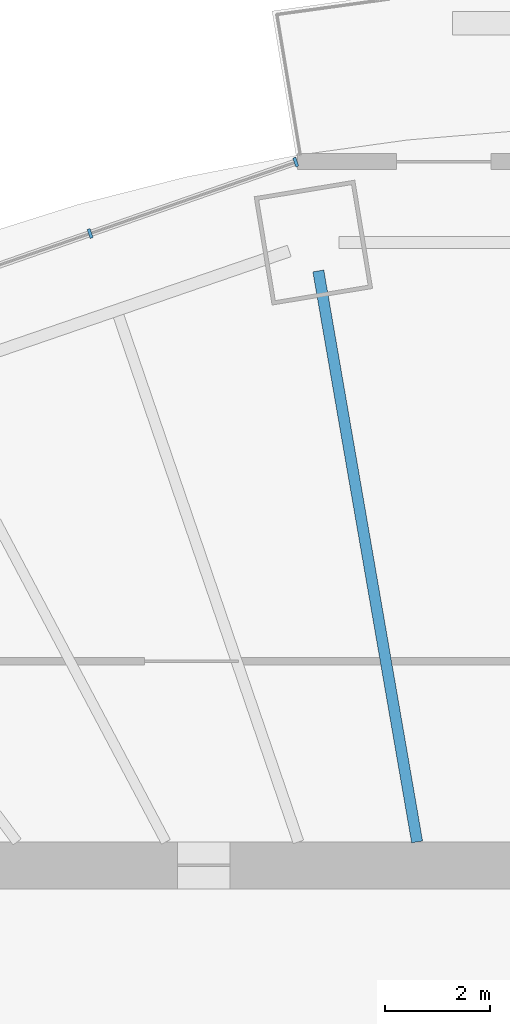
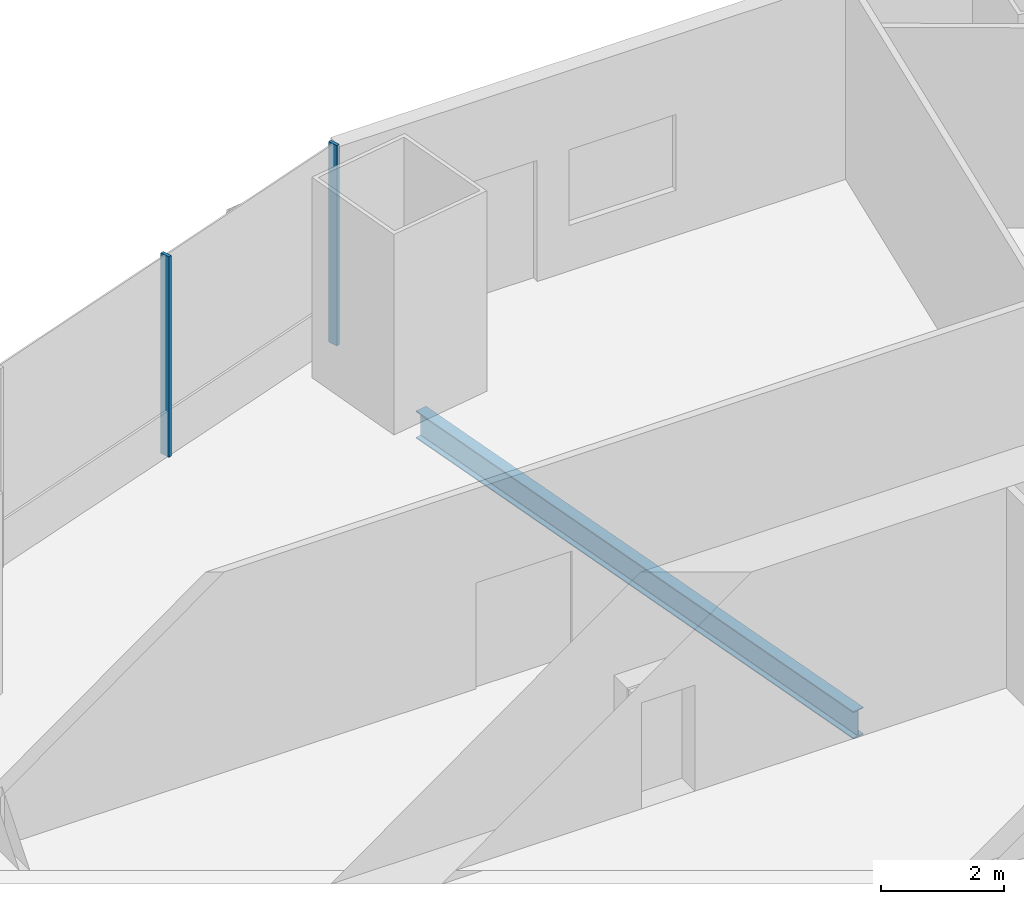
# One storey, part 7 of 21: 2 members, 1 beam, 1 element without a shape of its own.
"""IFC4 building model written with IfcOpenShell, lengths in metres."""

from ifc_helpers import new_model, si_unit, direction, frame, origin, origin_2d, place, context, subcontext, project, spatial, rectangle, i_section, extrude, material, material_profile, profile_set, type_object, element, aggregate, save


model = new_model("IFC4")

# Units and contexts
model_context = context("Model", 3, precision=1e-05, world=origin(), true_north=direction((0.0, 1.0)))
body_context = subcontext(model_context, "Body", "Model", "MODEL_VIEW")
ifc_project = project(units=[si_unit("LENGTHUNIT", "METRE"), si_unit("AREAUNIT", "SQUARE_METRE"), si_unit("VOLUMEUNIT", "CUBIC_METRE"), si_unit("PLANEANGLEUNIT", "RADIAN"), si_unit("MASSUNIT", "GRAM", prefix="KILO")], contexts=[model_context])

# Site, building, storey
site_placement = place(None, origin())
site = spatial("IfcSite", under=ifc_project, at=site_placement, CompositionType="ELEMENT")
building_placement = place(site_placement, origin())
building = spatial("IfcBuilding", under=site, at=building_placement, Name="Marenthal Gate Tower", CompositionType="ELEMENT")
storey_placement = place(building_placement, frame((0.0, 0.0, 161.050048828125)))
storey = spatial("IfcBuildingStorey", under=building, at=storey_placement, Name="L34", CompositionType="ELEMENT", Elevation=161.050048828125)

# Curtain wall, members
ifc_material_1 = material(Name="Aluminium and glass", Category="aluminium")
curtain_wall_type = type_object("IfcCurtainWallType", Name="Curtain wall typical mid", PredefinedType="NOTDEFINED", material=ifc_material_1)
curtain_wall_placement = place(storey_placement, origin())
curtain_wall = element("IfcCurtainWall", 1, at=curtain_wall_placement, inside=storey, type_object=curtain_wall_type, Name="Curtain wall L34 bay 5", PredefinedType="NOTDEFINED")
ifc_material_2 = material(Name="Aluminium", Category="aluminium")
ifc_material_profile_1 = material_profile(ifc_material_2, rectangle(XDim=0.179931640625, YDim=0.06005859375, at=origin_2d()), Name="60x180 aluminium mullion")
ifc_profile_set_1 = profile_set([ifc_material_profile_1], Name="Aluminium")
member_type = type_object("IfcMemberType", Name="Mullion 60x180 typical mid", PredefinedType="MULLION", material=ifc_profile_set_1)
member_1_placement = place(storey_placement, frame((-4.646728515625, 26.451904296875, 0.0), z_axis=(0.0, 0.0, 1.0), x_axis=(0.328157600538, -0.944622987868, 0.0)))
member_1 = element("IfcMember", 2, at=member_1_placement, type_object=member_type, Name="Mullion L34 bay 5.1", PredefinedType="MULLION", context=body_context, shape_type="SweptSolid", body=[
    extrude(rectangle(XDim=0.179931640625, YDim=0.06005859375, at=origin_2d()), origin(), (0.0, 0.0, 1.0), 3.969970703125),
])
member_2_placement = place(storey_placement, frame((-8.580810546875, 25.085205078125, 0.0), z_axis=(0.0, 0.0, 1.0), x_axis=(0.328157600538, -0.944622987868, 0.0)))
member_2 = element("IfcMember", 3, at=member_2_placement, type_object=member_type, Name="Mullion L34 bay 5.2", PredefinedType="MULLION", context=body_context, shape_type="SweptSolid", body=[
    extrude(rectangle(XDim=0.179931640625, YDim=0.06005859375, at=origin_2d()), origin(), (0.0, 0.0, 1.0), 3.969970703125),
])
aggregate(curtain_wall, [member_1, member_2])

# Beam
ifc_material_3 = material(Name="Steel S355", Category="steel")
ifc_material_profile_2 = material_profile(ifc_material_3, i_section(OverallWidth=0.2119140625, OverallDepth=0.5439453125, WebThickness=0.01318359375, FlangeThickness=0.021240234375, FilletRadius=0.0126953125, at=origin_2d()), Name="W530X123")
ifc_profile_set_2 = profile_set([ifc_material_profile_2], Name="Steel S355")
beam_type = type_object("IfcBeamType", Name="W530X123 beam", PredefinedType="BEAM", material=ifc_profile_set_2)
beam_placement = place(storey_placement, frame((-4.21630859375, 24.3701171875, -0.4521484375), z_axis=(0.170486727373, -0.985359972695, 0.0), x_axis=(0.985359972695, 0.170486727373, 0.0)))
element("IfcBeam", 4, at=beam_placement, inside=storey, type_object=beam_type, Name="BM-L34-05", PredefinedType="BEAM", context=body_context, shape_type="SweptSolid", body=[
    extrude(i_section(OverallWidth=0.2119140625, OverallDepth=0.5439453125, WebThickness=0.01318359375, FlangeThickness=0.021240234375, FilletRadius=0.0126953125, at=origin_2d()), origin(), (0.0, 0.0, 1.0), 11.08251953125),
])

save(model, "model.ifc")
